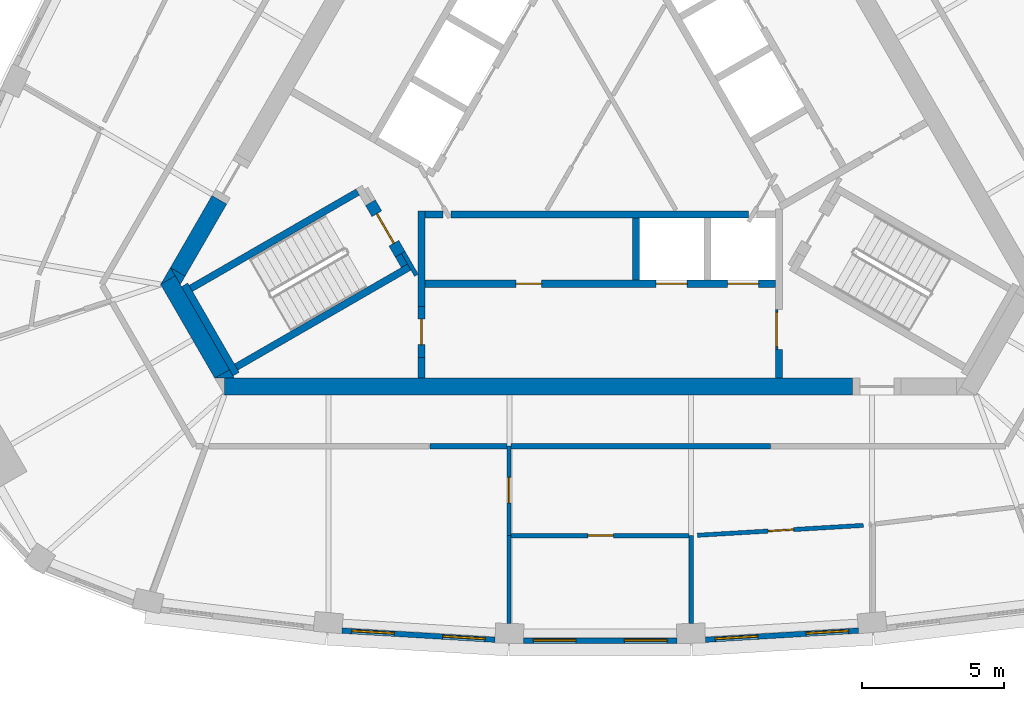
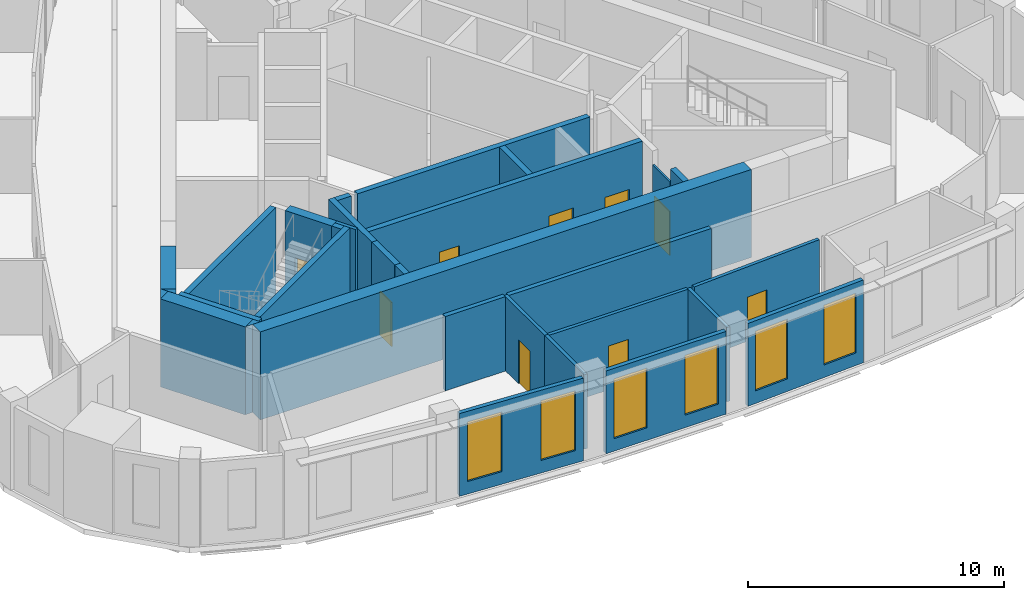
# One storey, part 3 of 10: 31 walls, 9 doors, 6 windows, 15 openings.
"""IFC4 building model written with IfcOpenShell, lengths in metres."""

from ifc_helpers import new_model, si_unit, direction, frame, frame_2d, origin, place, context, subcontext, project, spatial, polyline, rectangle, outline, extrude, material, layer, layer_set, type_object, element, fill, save


model = new_model("IFC4")

# Units and contexts
model_context = context("Model", 3, precision=1e-05, world=origin(), true_north=direction((0.0, 1.0)))
body_context = subcontext(model_context, "Body", "Model", "MODEL_VIEW")
ifc_project = project(units=[si_unit("LENGTHUNIT", "METRE"), si_unit("AREAUNIT", "SQUARE_METRE"), si_unit("VOLUMEUNIT", "CUBIC_METRE"), si_unit("PLANEANGLEUNIT", "RADIAN"), si_unit("MASSUNIT", "GRAM", prefix="KILO")], contexts=[model_context])

# Site, building, storey
site_placement = place(None, origin())
site = spatial("IfcSite", under=ifc_project, at=site_placement, CompositionType="ELEMENT")
building_placement = place(site_placement, origin())
building = spatial("IfcBuilding", under=site, at=building_placement, Name="Mestral Congress Tower", CompositionType="ELEMENT")
storey_placement = place(building_placement, frame((0.0, 0.0, 271.199951171875)))
storey = spatial("IfcBuildingStorey", under=building, at=storey_placement, Name="L63", CompositionType="ELEMENT", Elevation=271.199951171875)

# Wall, opening, door
ifc_material_1 = material(Name="Fire-rated board partition")
ifc_layer_1 = layer(ifc_material_1, 0.090087890625)
ifc_layer_set_1 = layer_set([ifc_layer_1], Name="Fire-rated board partition")
wall_type_1 = type_object("IfcWallType", Name="Core partition 150 door-wall 90", PredefinedType="PARTITIONING", material=ifc_layer_set_1)
wall_1_placement = place(storey_placement, frame((6.219970703125, -7.23681640625, 0.0), z_axis=(0.0, 0.0, 1.0), x_axis=(0.0, -1.0, 0.0)))
wall_1 = element("IfcWall", 1, at=wall_1_placement, inside=storey, type_object=wall_type_1, Name="L63 door wall", PredefinedType="PARTITIONING", context=body_context, shape_type="SweptSolid", body=[
    extrude(rectangle(XDim=1.400146484375, YDim=0.090087890625, at=frame_2d((0.7001953125, 0.0))), origin(), (0.0, 0.0, 1.0), 3.550048828125),
])
opening_1_placement = place(wall_1_placement, frame((0.10009765625, 0.0, 0.0)))
opening_1 = element("IfcOpeningElement", 2, at=opening_1_placement, cuts=wall_1, Name="Opening LB0-WL1", PredefinedType="OPENING", context=body_context, shape_type="SweptSolid", body=[
    extrude(rectangle(XDim=1.199951171875, YDim=2.10009765625, at=frame_2d((0.60009765625, 1.050048828125))), frame((0.0, 0.054931640625, 0.0), z_axis=(0.0, -1.0, 0.0), x_axis=(1.0, 0.0, 0.0)), (0.0, 0.0, 1.0), 0.110107421875),
])
ifc_material_2 = material(Name="Fire-rated steel door set", Category="steel")
door_type_1 = type_object("IfcDoorType", Name="Core door LB 1200x2100", OperationType="SINGLE_SWING_LEFT", PredefinedType="DOOR", material=ifc_material_2)
door_1_placement = place(opening_1_placement, origin())
door_1 = element("IfcDoor", 3, at=door_1_placement, inside=storey, type_object=door_type_1, Name="Door LB0-WL1", OperationType="SINGLE_SWING_LEFT", OverallHeight=2.10009765625, OverallWidth=1.199951171875, PredefinedType="DOOR", context=body_context, shape_type="SweptSolid", body=[
    extrude(rectangle(XDim=1.199951171875, YDim=2.10009765625, at=frame_2d((0.60009765625, 1.050048828125))), frame((0.0, 0.02490234375, 0.0), z_axis=(0.0, -1.0, 0.0), x_axis=(1.0, 0.0, 0.0)), (0.0, 0.0, 1.0), 0.050048828125),
])
fill(opening_1, door_1)

# Walls
ifc_material_3 = material(Name="Concrete C60/75", Category="concrete")
ifc_layer_2 = layer(ifc_material_3, 0.60009765625)
ifc_layer_set_2 = layer_set([ifc_layer_2], Name="Concrete C60/75")
wall_type_2 = type_object("IfcWallType", Name="Core wall RC 600", PredefinedType="SOLIDWALL", material=ifc_layer_set_2)
wall_2_placement = place(storey_placement, frame((8.904296875, -9.949951171875, 0.0), z_axis=(0.0, 0.0, 1.0), x_axis=(-1.0, 0.0, 0.0)))
element("IfcWall", 4, at=wall_2_placement, inside=storey, type_object=wall_type_2, Name="L63 core wall", PredefinedType="SOLIDWALL", context=body_context, shape_type="SweptSolid", body=[
    extrude(rectangle(XDim=22.160888671875, YDim=0.60009765625, at=frame_2d((11.08056640625, 0.0))), origin(), (0.0, 0.0, 1.0), 4.199951171875),
])
wall_3_placement = place(storey_placement, frame((-13.33349609375, -9.505615234375, 0.0), z_axis=(0.0, 0.0, 1.0), x_axis=(-0.500019073792, 0.866014391245, 0.0)))
element("IfcWall", 5, at=wall_3_placement, inside=storey, type_object=wall_type_2, Name="L63 core wall", PredefinedType="SOLIDWALL", context=body_context, shape_type="SweptSolid", body=[
    extrude(rectangle(XDim=3.823486328125, YDim=0.60009765625, at=frame_2d((1.91162109375, 0.0))), origin(), (0.0, 0.0, 1.0), 4.199951171875),
])
placement = place(storey_placement, origin())
element("IfcWall", 6, at=placement, inside=storey, type_object=wall_type_2, Name="L63 core wall", PredefinedType="SOLIDWALL", context=body_context, shape_type="SweptSolid", body=[
    extrude(outline(polyline([(-14.986572265625, -6.042724609375), (-15.493408203125, -6.33544921875), (-15.155517578125, -5.75), (-14.986572265625, -6.042724609375)])), origin(), (0.0, 0.0, 1.0), 4.199951171875),
])
element("IfcWall", 7, at=placement, inside=storey, type_object=wall_type_2, Name="L63 core wall", PredefinedType="SOLIDWALL", context=body_context, shape_type="SweptSolid", body=[
    extrude(outline(polyline([(-12.90380859375, -9.64990234375), (-13.579833984375, -9.64990234375), (-13.07275390625, -9.357421875), (-12.90380859375, -9.64990234375)])), origin(), (0.0, 0.0, 1.0), 4.199951171875),
])
wall_6_placement = place(storey_placement, frame((-13.431640625, -3.3642578125, 0.0), z_axis=(0.0, 0.0, 1.0), x_axis=(-0.499960127962, -0.866048422692, 0.0)))
element("IfcWall", 8, at=wall_6_placement, inside=storey, type_object=wall_type_2, Name="L63 core wall", PredefinedType="SOLIDWALL", context=body_context, shape_type="SweptSolid", body=[
    extrude(rectangle(XDim=2.934326171875, YDim=0.60009765625, at=frame_2d((1.46728515625, 0.0))), origin(), (0.0, 0.0, 1.0), 4.199951171875),
])
element("IfcWall", 9, at=placement, inside=storey, type_object=wall_type_2, Name="L63 core wall", PredefinedType="SOLIDWALL", context=body_context, shape_type="SweptSolid", body=[
    extrude(outline(polyline([(-14.80908203125, -6.35009765625), (-15.147216796875, -5.764404296875), (-14.639892578125, -6.057373046875), (-14.80908203125, -6.35009765625)])), origin(), (0.0, 0.0, 1.0), 4.199951171875),
])

# Wall, openings, windows
ifc_material_4 = material(Name="Precast concrete C40/50 with limestone facing", Category="masonry")
ifc_layer_3 = layer(ifc_material_4, 0.18994140625)
ifc_layer_set_3 = layer_set([ifc_layer_3], Name="Precast concrete C40/50 with limestone facing")
wall_type_3 = type_object("IfcWallType", Name="Facade stone wall 190", PredefinedType="SOLIDWALL", material=ifc_layer_set_3)
wall_8_placement = place(storey_placement, frame((-9.106689453125, -18.557861328125, 0.0), z_axis=(0.0, 0.0, 1.0), x_axis=(0.998221492823, -0.059614186786, 0.0)))
wall_8 = element("IfcWall", 10, at=wall_8_placement, inside=storey, type_object=wall_type_3, Name="Facade wall F0-01", PredefinedType="SOLIDWALL", context=body_context, shape_type="SweptSolid", body=[
    extrude(rectangle(XDim=5.40576171875, YDim=0.18994140625, at=frame_2d((2.702880859375, 0.0))), origin(), (0.0, 0.0, 1.0), 3.949951171875),
])
opening_2_placement = place(wall_8_placement, frame((0.346435546875, 0.0, 0.60009765625)))
opening_2 = element("IfcOpeningElement", 11, at=opening_2_placement, cuts=wall_8, Name="Opening W6", PredefinedType="OPENING", context=body_context, shape_type="SweptSolid", body=[
    extrude(rectangle(XDim=1.5, YDim=2.85009765625, at=frame_2d((0.75, 1.425048828125))), frame((0.0, 0.10498046875, 0.0), z_axis=(0.0, -1.0, 0.0), x_axis=(1.0, 0.0, 0.0)), (0.0, 0.0, 1.0), 0.2099609375),
])
opening_3_placement = place(wall_8_placement, frame((3.559326171875, 0.0, 0.60009765625)))
opening_3 = element("IfcOpeningElement", 12, at=opening_3_placement, cuts=wall_8, Name="Opening W6", PredefinedType="OPENING", context=body_context, shape_type="SweptSolid", body=[
    extrude(rectangle(XDim=1.5, YDim=2.85009765625, at=frame_2d((0.75, 1.425048828125))), frame((0.0, 0.10498046875, 0.0), z_axis=(0.0, -1.0, 0.0), x_axis=(1.0, 0.0, 0.0)), (0.0, 0.0, 1.0), 0.2099609375),
])
ifc_material_5 = material(Name="Clear low-emissivity double glazing", Category="glass")
window_type = type_object("IfcWindowType", Name="Facade punched window 1500 x 2850 sill 600", PartitioningType="SINGLE_PANEL", PredefinedType="WINDOW", material=ifc_material_5)
window_1_placement = place(opening_2_placement, origin())
window_1 = element("IfcWindow", 13, at=window_1_placement, inside=storey, type_object=window_type, Name="Window F0-01a", OverallHeight=2.85009765625, OverallWidth=1.5, PartitioningType="SINGLE_PANEL", PredefinedType="WINDOW", context=body_context, shape_type="SweptSolid", body=[
    extrude(rectangle(XDim=1.5, YDim=2.85009765625, at=frame_2d((0.75, 1.425048828125))), frame((0.0, 0.044921875, 0.0), z_axis=(0.0, -1.0, 0.0), x_axis=(1.0, 0.0, 0.0)), (0.0, 0.0, 1.0), 0.06005859375),
])
fill(opening_2, window_1)
window_2_placement = place(opening_3_placement, origin())
window_2 = element("IfcWindow", 14, at=window_2_placement, inside=storey, type_object=window_type, Name="Window F0-01b", OverallHeight=2.85009765625, OverallWidth=1.5, PartitioningType="SINGLE_PANEL", PredefinedType="WINDOW", context=body_context, shape_type="SweptSolid", body=[
    extrude(rectangle(XDim=1.5, YDim=2.85009765625, at=frame_2d((0.75, 1.425048828125))), frame((0.0, 0.044921875, 0.0), z_axis=(0.0, -1.0, 0.0), x_axis=(1.0, 0.0, 0.0)), (0.0, 0.0, 1.0), 0.06005859375),
])
fill(opening_3, window_2)

wall_9_placement = place(storey_placement, frame((-2.702880859375, -18.91015625, 0.0), z_axis=(0.0, 0.0, 1.0), x_axis=(1.0, 0.0, 0.0)))
wall_9 = element("IfcWall", 15, at=wall_9_placement, inside=storey, type_object=wall_type_3, Name="Facade wall F0-02", PredefinedType="SOLIDWALL", context=body_context, shape_type="SweptSolid", body=[
    extrude(rectangle(XDim=5.40576171875, YDim=0.18994140625, at=frame_2d((2.702880859375, 0.0))), origin(), (0.0, 0.0, 1.0), 3.949951171875),
])
opening_4_placement = place(wall_9_placement, frame((0.346435546875, 0.0, 0.60009765625)))
opening_4 = element("IfcOpeningElement", 16, at=opening_4_placement, cuts=wall_9, Name="Opening W6", PredefinedType="OPENING", context=body_context, shape_type="SweptSolid", body=[
    extrude(rectangle(XDim=1.5, YDim=2.85009765625, at=frame_2d((0.75, 1.425048828125))), frame((0.0, 0.10498046875, 0.0), z_axis=(0.0, -1.0, 0.0), x_axis=(1.0, 0.0, 0.0)), (0.0, 0.0, 1.0), 0.2099609375),
])
opening_5_placement = place(wall_9_placement, frame((3.5595703125, 0.0, 0.60009765625)))
opening_5 = element("IfcOpeningElement", 17, at=opening_5_placement, cuts=wall_9, Name="Opening W6", PredefinedType="OPENING", context=body_context, shape_type="SweptSolid", body=[
    extrude(rectangle(XDim=1.5, YDim=2.85009765625, at=frame_2d((0.75, 1.425048828125))), frame((0.0, 0.10498046875, 0.0), z_axis=(0.0, -1.0, 0.0), x_axis=(1.0, 0.0, 0.0)), (0.0, 0.0, 1.0), 0.2099609375),
])
window_3_placement = place(opening_4_placement, origin())
window_3 = element("IfcWindow", 18, at=window_3_placement, inside=storey, type_object=window_type, Name="Window F0-02a", OverallHeight=2.85009765625, OverallWidth=1.5, PartitioningType="SINGLE_PANEL", PredefinedType="WINDOW", context=body_context, shape_type="SweptSolid", body=[
    extrude(rectangle(XDim=1.5, YDim=2.85009765625, at=frame_2d((0.75, 1.425048828125))), frame((0.0, 0.044921875, 0.0), z_axis=(0.0, -1.0, 0.0), x_axis=(1.0, 0.0, 0.0)), (0.0, 0.0, 1.0), 0.06005859375),
])
fill(opening_4, window_3)
window_4_placement = place(opening_5_placement, origin())
window_4 = element("IfcWindow", 19, at=window_4_placement, inside=storey, type_object=window_type, Name="Window F0-02b", OverallHeight=2.85009765625, OverallWidth=1.5, PartitioningType="SINGLE_PANEL", PredefinedType="WINDOW", context=body_context, shape_type="SweptSolid", body=[
    extrude(rectangle(XDim=1.5, YDim=2.85009765625, at=frame_2d((0.75, 1.425048828125))), frame((0.0, 0.044921875, 0.0), z_axis=(0.0, -1.0, 0.0), x_axis=(1.0, 0.0, 0.0)), (0.0, 0.0, 1.0), 0.06005859375),
])
fill(opening_5, window_4)

wall_10_placement = place(storey_placement, frame((3.71044921875, -18.880126953125, 0.0), z_axis=(0.0, 0.0, 1.0), x_axis=(0.998221492823, 0.059614186786, 0.0)))
wall_10 = element("IfcWall", 20, at=wall_10_placement, inside=storey, type_object=wall_type_3, Name="Facade wall F0-03", PredefinedType="SOLIDWALL", context=body_context, shape_type="SweptSolid", body=[
    extrude(rectangle(XDim=5.40576171875, YDim=0.18994140625, at=frame_2d((2.702880859375, 0.0))), origin(), (0.0, 0.0, 1.0), 3.949951171875),
])
opening_6_placement = place(wall_10_placement, frame((0.346435546875, 0.0, 0.60009765625)))
opening_6 = element("IfcOpeningElement", 21, at=opening_6_placement, cuts=wall_10, Name="Opening W6", PredefinedType="OPENING", context=body_context, shape_type="SweptSolid", body=[
    extrude(rectangle(XDim=1.5, YDim=2.85009765625, at=frame_2d((0.75, 1.425048828125))), frame((0.0, 0.10498046875, 0.0), z_axis=(0.0, -1.0, 0.0), x_axis=(1.0, 0.0, 0.0)), (0.0, 0.0, 1.0), 0.2099609375),
])
opening_7_placement = place(wall_10_placement, frame((3.559326171875, 0.0, 0.60009765625)))
opening_7 = element("IfcOpeningElement", 22, at=opening_7_placement, cuts=wall_10, Name="Opening W6", PredefinedType="OPENING", context=body_context, shape_type="SweptSolid", body=[
    extrude(rectangle(XDim=1.5, YDim=2.85009765625, at=frame_2d((0.75, 1.425048828125))), frame((0.0, 0.10498046875, 0.0), z_axis=(0.0, -1.0, 0.0), x_axis=(1.0, 0.0, 0.0)), (0.0, 0.0, 1.0), 0.2099609375),
])
window_5_placement = place(opening_6_placement, origin())
window_5 = element("IfcWindow", 23, at=window_5_placement, inside=storey, type_object=window_type, Name="Window F0-03a", OverallHeight=2.85009765625, OverallWidth=1.5, PartitioningType="SINGLE_PANEL", PredefinedType="WINDOW", context=body_context, shape_type="SweptSolid", body=[
    extrude(rectangle(XDim=1.5, YDim=2.85009765625, at=frame_2d((0.75, 1.425048828125))), frame((0.0, 0.044921875, 0.0), z_axis=(0.0, -1.0, 0.0), x_axis=(1.0, 0.0, 0.0)), (0.0, 0.0, 1.0), 0.06005859375),
])
fill(opening_6, window_5)
window_6_placement = place(opening_7_placement, origin())
window_6 = element("IfcWindow", 24, at=window_6_placement, inside=storey, type_object=window_type, Name="Window F0-03b", OverallHeight=2.85009765625, OverallWidth=1.5, PartitioningType="SINGLE_PANEL", PredefinedType="WINDOW", context=body_context, shape_type="SweptSolid", body=[
    extrude(rectangle(XDim=1.5, YDim=2.85009765625, at=frame_2d((0.75, 1.425048828125))), frame((0.0, 0.044921875, 0.0), z_axis=(0.0, -1.0, 0.0), x_axis=(1.0, 0.0, 0.0)), (0.0, 0.0, 1.0), 0.06005859375),
])
fill(opening_7, window_6)

# Wall
ifc_material_6 = material(Name="Plasterboard partition on steel studs", Category="steel")
ifc_layer_4 = layer(ifc_material_6, 0.14990234375)
ifc_layer_set_4 = layer_set([ifc_layer_4], Name="Plasterboard partition on steel studs")
wall_type_4 = type_object("IfcWallType", Name="Office partition 150", PredefinedType="PARTITIONING", material=ifc_layer_set_4)
wall_11_placement = place(storey_placement, frame((-3.212890625, -15.204345703125, 0.0), z_axis=(0.0, 0.0, 1.0), x_axis=(0.0, -1.0, 0.0)))
element("IfcWall", 25, at=wall_11_placement, inside=storey, type_object=wall_type_4, Name="Partition", PredefinedType="PARTITIONING", context=body_context, shape_type="SweptSolid", body=[
    extrude(rectangle(XDim=3.100341796875, YDim=0.14990234375, at=frame_2d((1.55029296875, 0.0))), origin(), (0.0, 0.0, 1.0), 3.550048828125),
])

# Wall, opening, door
wall_12_placement = place(storey_placement, frame((-3.212890625, -15.21240234375, 0.0), z_axis=(0.0, 0.0, 1.0), x_axis=(0.0, 1.0, 0.0)))
wall_12 = element("IfcWall", 26, at=wall_12_placement, inside=storey, type_object=wall_type_4, Name="Partition", PredefinedType="PARTITIONING", context=body_context, shape_type="SweptSolid", body=[
    extrude(rectangle(XDim=3.162353515625, YDim=0.14990234375, at=frame_2d((1.5810546875, 0.0))), origin(), (0.0, 0.0, 1.0), 3.550048828125),
])
opening_8_placement = place(wall_12_placement, frame((1.162353515625, 0.0, 0.0)))
opening_8 = element("IfcOpeningElement", 27, at=opening_8_placement, cuts=wall_12, Name="Opening O11-001", PredefinedType="OPENING", context=body_context, shape_type="SweptSolid", body=[
    extrude(rectangle(XDim=0.89990234375, YDim=2.10009765625, at=frame_2d((0.449951171875, 1.050048828125))), frame((0.0, 0.0849609375, 0.0), z_axis=(0.0, -1.0, 0.0), x_axis=(1.0, 0.0, 0.0)), (0.0, 0.0, 1.0), 0.169921875),
])
ifc_material_7 = material(Name="Timber door set", Category="wood")
door_type_2 = type_object("IfcDoorType", Name="Office door 900x2100", OperationType="SINGLE_SWING_LEFT", PredefinedType="DOOR", material=ifc_material_7)
door_2_placement = place(opening_8_placement, origin())
door_2 = element("IfcDoor", 28, at=door_2_placement, inside=storey, type_object=door_type_2, Name="Door O11-001", OperationType="SINGLE_SWING_RIGHT", OverallHeight=2.10009765625, OverallWidth=0.89990234375, PredefinedType="DOOR", context=body_context, shape_type="SweptSolid", body=[
    extrude(rectangle(XDim=0.89990234375, YDim=2.10009765625, at=frame_2d((0.449951171875, 1.050048828125))), frame((0.0, 0.02490234375, 0.0), z_axis=(0.0, -1.0, 0.0), x_axis=(1.0, 0.0, 0.0)), (0.0, 0.0, 1.0), 0.050048828125),
])
fill(opening_8, door_2)

# Wall
wall_13_placement = place(storey_placement, frame((3.212890625, -15.208251953125, 0.0), z_axis=(0.0, 0.0, 1.0), x_axis=(0.0, -1.0, 0.0)))
element("IfcWall", 29, at=wall_13_placement, inside=storey, type_object=wall_type_4, Name="Partition", PredefinedType="PARTITIONING", context=body_context, shape_type="SweptSolid", body=[
    extrude(rectangle(XDim=3.096435546875, YDim=0.14990234375, at=frame_2d((1.54833984375, 0.0))), origin(), (0.0, 0.0, 1.0), 3.550048828125),
])

# Wall, opening, door
wall_14_placement = place(storey_placement, frame((3.137939453125, -15.208251953125, 0.0), z_axis=(0.0, 0.0, 1.0), x_axis=(-1.0, 0.0, 0.0)))
wall_14 = element("IfcWall", 30, at=wall_14_placement, inside=storey, type_object=wall_type_4, Name="Partition", PredefinedType="PARTITIONING", context=body_context, shape_type="SweptSolid", body=[
    extrude(rectangle(XDim=6.27587890625, YDim=0.14990234375, at=frame_2d((3.137939453125, 0.0))), origin(), (0.0, 0.0, 1.0), 3.550048828125),
])
opening_9_placement = place(wall_14_placement, frame((2.676025390625, 0.0, 0.0)))
opening_9 = element("IfcOpeningElement", 31, at=opening_9_placement, cuts=wall_14, Name="Opening O11-002", PredefinedType="OPENING", context=body_context, shape_type="SweptSolid", body=[
    extrude(rectangle(XDim=0.89990234375, YDim=2.10009765625, at=frame_2d((0.449951171875, 1.050048828125))), frame((0.0, 0.0849609375, 0.0), z_axis=(0.0, -1.0, 0.0), x_axis=(1.0, 0.0, 0.0)), (0.0, 0.0, 1.0), 0.169921875),
])
door_3_placement = place(opening_9_placement, origin())
door_3 = element("IfcDoor", 32, at=door_3_placement, inside=storey, type_object=door_type_2, Name="Door O11-002", OperationType="SINGLE_SWING_LEFT", OverallHeight=2.10009765625, OverallWidth=0.89990234375, PredefinedType="DOOR", context=body_context, shape_type="SweptSolid", body=[
    extrude(rectangle(XDim=0.89990234375, YDim=2.10009765625, at=frame_2d((0.449951171875, 1.050048828125))), frame((0.0, 0.02490234375, 0.0), z_axis=(0.0, -1.0, 0.0), x_axis=(1.0, 0.0, 0.0)), (0.0, 0.0, 1.0), 0.050048828125),
])
fill(opening_9, door_3)

wall_15_placement = place(storey_placement, frame((9.279541015625, -14.845947265625, 0.0), z_axis=(0.0, 0.0, 1.0), x_axis=(-0.998220544688, -0.059630060904, 0.0)))
wall_15 = element("IfcWall", 33, at=wall_15_placement, inside=storey, type_object=wall_type_4, Name="Partition", PredefinedType="PARTITIONING", context=body_context, shape_type="SweptSolid", body=[
    extrude(rectangle(XDim=5.863037109375, YDim=0.14990234375, at=frame_2d((2.931640625, 0.0))), origin(), (0.0, 0.0, 1.0), 3.550048828125),
])
opening_10_placement = place(wall_15_placement, frame((2.463134765625, 0.0, 0.0)))
opening_10 = element("IfcOpeningElement", 34, at=opening_10_placement, cuts=wall_15, Name="Opening O11-003", PredefinedType="OPENING", context=body_context, shape_type="SweptSolid", body=[
    extrude(rectangle(XDim=0.89990234375, YDim=2.10009765625, at=frame_2d((0.449951171875, 1.050048828125))), frame((0.0, 0.0849609375, 0.0), z_axis=(0.0, -1.0, 0.0), x_axis=(1.0, 0.0, 0.0)), (0.0, 0.0, 1.0), 0.169921875),
])
door_4_placement = place(opening_10_placement, origin())
door_4 = element("IfcDoor", 35, at=door_4_placement, inside=storey, type_object=door_type_2, Name="Door O11-003", OperationType="SINGLE_SWING_LEFT", OverallHeight=2.10009765625, OverallWidth=0.89990234375, PredefinedType="DOOR", context=body_context, shape_type="SweptSolid", body=[
    extrude(rectangle(XDim=0.89990234375, YDim=2.10009765625, at=frame_2d((0.449951171875, 1.050048828125))), frame((0.0, 0.02490234375, 0.0), z_axis=(0.0, -1.0, 0.0), x_axis=(1.0, 0.0, 0.0)), (0.0, 0.0, 1.0), 0.050048828125),
])
fill(opening_10, door_4)

# Walls
ifc_material_8 = material(Name="Dense masonry wall, plastered", Category="masonry")
ifc_layer_5 = layer(ifc_material_8, 0.199951171875)
ifc_layer_set_5 = layer_set([ifc_layer_5], Name="Dense masonry wall, plastered")
wall_type_5 = type_object("IfcWallType", Name="Office tenancy wall 200", PredefinedType="PARTITIONING", material=ifc_layer_set_5)
wall_16_placement = place(storey_placement, frame((-6.0, -12.050048828125, 0.0), z_axis=(0.0, 0.0, 1.0), x_axis=(1.0, 0.0, 0.0)))
element("IfcWall", 36, at=wall_16_placement, inside=storey, type_object=wall_type_5, Name="Tenancy wall", PredefinedType="PARTITIONING", context=body_context, shape_type="SweptSolid", body=[
    extrude(rectangle(XDim=2.7119140625, YDim=0.199951171875, at=frame_2d((1.35595703125, 0.0))), origin(), (0.0, 0.0, 1.0), 3.550048828125),
])
wall_17_placement = place(storey_placement, frame((-3.137939453125, -12.050048828125, 0.0), z_axis=(0.0, 0.0, 1.0), x_axis=(1.0, 0.0, 0.0)))
element("IfcWall", 37, at=wall_17_placement, inside=storey, type_object=wall_type_5, Name="Tenancy wall", PredefinedType="PARTITIONING", context=body_context, shape_type="SweptSolid", body=[
    extrude(rectangle(XDim=9.137939453125, YDim=0.199951171875, at=frame_2d((4.56884765625, 0.0))), origin(), (0.0, 0.0, 1.0), 3.550048828125),
])
ifc_layer_6 = layer(ifc_material_3, 0.25)
ifc_layer_set_6 = layer_set([ifc_layer_6], Name="Concrete C60/75")
wall_type_6 = type_object("IfcWallType", Name="Shaft wall RC 250", PredefinedType="SOLIDWALL", material=ifc_layer_set_6)
wall_18_placement = place(storey_placement, frame((6.300048828125, -9.64990234375, 0.0), z_axis=(0.0, 0.0, 1.0), x_axis=(0.0, 1.0, 0.0)))
element("IfcWall", 38, at=wall_18_placement, inside=storey, type_object=wall_type_6, Name="L63 core wall", PredefinedType="SOLIDWALL", context=body_context, shape_type="SweptSolid", body=[
    extrude(rectangle(XDim=1.0078125, YDim=0.25, at=frame_2d((0.50390625, 0.0))), origin(), (0.0, 0.0, 1.0), 4.199951171875),
])
wall_19_placement = place(storey_placement, frame((-5.25927734375, -3.875, 0.0), z_axis=(0.0, 0.0, 1.0), x_axis=(1.0, 0.0, 0.0)))
element("IfcWall", 39, at=wall_19_placement, inside=storey, type_object=wall_type_6, Name="L63 core wall", PredefinedType="SOLIDWALL", context=body_context, shape_type="SweptSolid", body=[
    extrude(rectangle(XDim=10.488525390625, YDim=0.25, at=frame_2d((5.244140625, 0.0))), origin(), (0.0, 0.0, 1.0), 4.199951171875),
])
wall_20_placement = place(storey_placement, frame((1.260009765625, -4.0, 0.0), z_axis=(0.0, 0.0, 1.0), x_axis=(0.0, -1.0, 0.0)))
element("IfcWall", 40, at=wall_20_placement, inside=storey, type_object=wall_type_6, Name="L63 core wall", PredefinedType="SOLIDWALL", context=body_context, shape_type="SweptSolid", body=[
    extrude(rectangle(XDim=2.199951171875, YDim=0.25, at=frame_2d((1.10009765625, 0.0))), origin(), (0.0, 0.0, 1.0), 4.199951171875),
])
wall_21_placement = place(storey_placement, frame((-6.300048828125, -7.12451171875, 0.0), z_axis=(0.0, 0.0, 1.0), x_axis=(0.0, 1.0, 0.0)))
element("IfcWall", 41, at=wall_21_placement, inside=storey, type_object=wall_type_6, Name="L63 core wall", PredefinedType="SOLIDWALL", context=body_context, shape_type="SweptSolid", body=[
    extrude(rectangle(XDim=3.37451171875, YDim=0.25, at=frame_2d((1.687255859375, 0.0))), origin(), (0.0, 0.0, 1.0), 4.199951171875),
])
wall_22_placement = place(storey_placement, frame((-6.175048828125, -3.875, 0.0), z_axis=(0.0, 0.0, 1.0), x_axis=(1.0, 0.0, 0.0)))
element("IfcWall", 42, at=wall_22_placement, inside=storey, type_object=wall_type_6, Name="L63 core wall", PredefinedType="SOLIDWALL", context=body_context, shape_type="SweptSolid", body=[
    extrude(rectangle(XDim=0.63671875, YDim=0.25, at=frame_2d((0.318359375, 0.0))), origin(), (0.0, 0.0, 1.0), 4.199951171875),
])
wall_23_placement = place(storey_placement, frame((-6.300048828125, -8.9248046875, 0.0), z_axis=(0.0, 0.0, 1.0), x_axis=(0.0, -1.0, 0.0)))
element("IfcWall", 43, at=wall_23_placement, inside=storey, type_object=wall_type_6, Name="L63 core wall", PredefinedType="SOLIDWALL", context=body_context, shape_type="SweptSolid", body=[
    extrude(rectangle(XDim=0.72509765625, YDim=0.25, at=frame_2d((0.362548828125, 0.0))), origin(), (0.0, 0.0, 1.0), 4.199951171875),
])

# Wall, openings, doors
wall_24_placement = place(storey_placement, frame((-6.175048828125, -6.324951171875, 0.0), z_axis=(0.0, 0.0, 1.0), x_axis=(1.0, 0.0, 0.0)))
wall_24 = element("IfcWall", 44, at=wall_24_placement, inside=storey, type_object=wall_type_6, Name="L63 door wall", PredefinedType="SOLIDWALL", context=body_context, shape_type="SweptSolid", body=[
    extrude(rectangle(XDim=12.35009765625, YDim=0.25, at=frame_2d((6.175048828125, 0.0))), origin(), (0.0, 0.0, 1.0), 4.199951171875),
])
opening_11_placement = place(wall_24_placement, frame((3.205078125, 0.0, 0.0)))
opening_11 = element("IfcOpeningElement", 45, at=opening_11_placement, cuts=wall_24, Name="Opening SR-SOB1", PredefinedType="OPENING", context=body_context, shape_type="SweptSolid", body=[
    extrude(rectangle(XDim=0.89990234375, YDim=2.10009765625, at=frame_2d((0.449951171875, 1.050048828125))), frame((0.0, 0.135009765625, 0.0), z_axis=(0.0, -1.0, 0.0), x_axis=(1.0, 0.0, 0.0)), (0.0, 0.0, 1.0), 0.27001953125),
])
opening_12_placement = place(wall_24_placement, frame((8.14501953125, 0.0, 0.0)))
opening_12 = element("IfcOpeningElement", 46, at=opening_12_placement, cuts=wall_24, Name="Opening LD-SOB4", PredefinedType="OPENING", context=body_context, shape_type="SweptSolid", body=[
    extrude(rectangle(XDim=1.10009765625, YDim=2.10009765625, at=frame_2d((0.550048828125, 1.050048828125))), frame((0.0, 0.135009765625, 0.0), z_axis=(0.0, -1.0, 0.0), x_axis=(1.0, 0.0, 0.0)), (0.0, 0.0, 1.0), 0.27001953125),
])
opening_13_placement = place(wall_24_placement, frame((10.6650390625, 0.0, 0.0)))
opening_13 = element("IfcOpeningElement", 47, at=opening_13_placement, cuts=wall_24, Name="Opening LD-SOB5", PredefinedType="OPENING", context=body_context, shape_type="SweptSolid", body=[
    extrude(rectangle(XDim=1.10009765625, YDim=2.10009765625, at=frame_2d((0.550048828125, 1.050048828125))), frame((0.0, 0.135009765625, 0.0), z_axis=(0.0, -1.0, 0.0), x_axis=(1.0, 0.0, 0.0)), (0.0, 0.0, 1.0), 0.27001953125),
])
door_type_3 = type_object("IfcDoorType", Name="Core door LD 1100x2100", OperationType="DOUBLE_DOOR_SLIDING", PredefinedType="DOOR", material=ifc_material_2)
door_5_placement = place(opening_12_placement, origin())
door_5 = element("IfcDoor", 48, at=door_5_placement, inside=storey, type_object=door_type_3, Name="Door LD-SOB4", OperationType="DOUBLE_DOOR_SLIDING", OverallHeight=2.10009765625, OverallWidth=1.10009765625, PredefinedType="DOOR", context=body_context, shape_type="SweptSolid", body=[
    extrude(rectangle(XDim=1.10009765625, YDim=2.10009765625, at=frame_2d((0.550048828125, 1.050048828125))), frame((0.0, 0.02490234375, 0.0), z_axis=(0.0, -1.0, 0.0), x_axis=(1.0, 0.0, 0.0)), (0.0, 0.0, 1.0), 0.050048828125),
])
fill(opening_12, door_5)
door_6_placement = place(opening_13_placement, origin())
door_6 = element("IfcDoor", 49, at=door_6_placement, inside=storey, type_object=door_type_3, Name="Door LD-SOB5", OperationType="DOUBLE_DOOR_SLIDING", OverallHeight=2.10009765625, OverallWidth=1.10009765625, PredefinedType="DOOR", context=body_context, shape_type="SweptSolid", body=[
    extrude(rectangle(XDim=1.10009765625, YDim=2.10009765625, at=frame_2d((0.550048828125, 1.050048828125))), frame((0.0, 0.02490234375, 0.0), z_axis=(0.0, -1.0, 0.0), x_axis=(1.0, 0.0, 0.0)), (0.0, 0.0, 1.0), 0.050048828125),
])
fill(opening_13, door_6)
door_type_4 = type_object("IfcDoorType", Name="Core door SR 900x2100", OperationType="SINGLE_SWING_LEFT", PredefinedType="DOOR", material=ifc_material_2)
door_7_placement = place(opening_11_placement, origin())
door_7 = element("IfcDoor", 50, at=door_7_placement, inside=storey, type_object=door_type_4, Name="Door SR-SOB1", OperationType="SINGLE_SWING_LEFT", OverallHeight=2.10009765625, OverallWidth=0.89990234375, PredefinedType="DOOR", context=body_context, shape_type="SweptSolid", body=[
    extrude(rectangle(XDim=0.89990234375, YDim=2.10009765625, at=frame_2d((0.449951171875, 1.050048828125))), frame((0.0, 0.02490234375, 0.0), z_axis=(0.0, -1.0, 0.0), x_axis=(1.0, 0.0, 0.0)), (0.0, 0.0, 1.0), 0.050048828125),
])
fill(opening_11, door_7)

# Wall, opening, door
wall_25_placement = place(storey_placement, frame((-6.300048828125, -7.12451171875, 0.0), z_axis=(0.0, 0.0, 1.0), x_axis=(0.0, -1.0, 0.0)))
wall_25 = element("IfcWall", 51, at=wall_25_placement, inside=storey, type_object=wall_type_6, Name="L63 door wall", PredefinedType="SOLIDWALL", context=body_context, shape_type="SweptSolid", body=[
    extrude(rectangle(XDim=1.800048828125, YDim=0.25, at=frame_2d((0.89990234375, 0.0))), origin(), (0.0, 0.0, 1.0), 4.199951171875),
])
opening_14_placement = place(wall_25_placement, frame((0.449951171875, 0.0, 0.0)))
opening_14 = element("IfcOpeningElement", 52, at=opening_14_placement, cuts=wall_25, Name="Opening TD3", PredefinedType="OPENING", context=body_context, shape_type="SweptSolid", body=[
    extrude(rectangle(XDim=0.89990234375, YDim=2.10009765625, at=frame_2d((0.449951171875, 1.050048828125))), frame((0.0, 0.135009765625, 0.0), z_axis=(0.0, -1.0, 0.0), x_axis=(1.0, 0.0, 0.0)), (0.0, 0.0, 1.0), 0.27001953125),
])
door_8_placement = place(opening_14_placement, origin())
door_8 = element("IfcDoor", 53, at=door_8_placement, inside=storey, type_object=door_type_4, Name="Door TD3", OperationType="SINGLE_SWING_LEFT", OverallHeight=2.10009765625, OverallWidth=0.89990234375, PredefinedType="DOOR", context=body_context, shape_type="SweptSolid", body=[
    extrude(rectangle(XDim=0.89990234375, YDim=2.10009765625, at=frame_2d((0.449951171875, 1.050048828125))), frame((0.0, 0.02490234375, 0.0), z_axis=(0.0, -1.0, 0.0), x_axis=(1.0, 0.0, 0.0)), (0.0, 0.0, 1.0), 0.050048828125),
])
fill(opening_14, door_8)

# Walls
ifc_layer_7 = layer(ifc_material_3, 0.14990234375)
ifc_layer_set_7 = layer_set([ifc_layer_7], Name="Concrete C60/75")
wall_type_7 = type_object("IfcWallType", Name="Shaft wall RC 250 door-wall 150", PredefinedType="SOLIDWALL", material=ifc_layer_set_7)
wall_26_placement = place(storey_placement, frame((-6.48046875, -6.026611328125, 0.0), z_axis=(0.0, 0.0, 1.0), x_axis=(-0.499927229454, 0.866067413802, 0.0)))
element("IfcWall", 54, at=wall_26_placement, inside=storey, type_object=wall_type_7, Name="L63 core wall", PredefinedType="PARTITIONING", context=body_context, shape_type="SweptSolid", body=[
    extrude(rectangle(XDim=0.928955078125, YDim=0.14990234375, at=frame_2d((0.46435546875, 0.0))), origin(), (0.0, 0.0, 1.0), 4.199951171875),
])
ifc_layer_8 = layer(ifc_material_3, 0.25)
ifc_layer_set_8 = layer_set([ifc_layer_8], Name="Concrete C60/75")
wall_type_8 = type_object("IfcWallType", Name="Stair wall RC 250", PredefinedType="SOLIDWALL", material=ifc_layer_set_8)
wall_27_placement = place(storey_placement, frame((-12.839599609375, -9.510986328125, 0.0), z_axis=(0.0, 0.0, 1.0), x_axis=(-0.499997733992, 0.866026712061, 0.0)))
element("IfcWall", 55, at=wall_27_placement, inside=storey, type_object=wall_type_8, Name="L63 core wall", PredefinedType="SOLIDWALL", context=body_context, shape_type="SweptSolid", body=[
    extrude(rectangle(XDim=3.6337890625, YDim=0.25, at=frame_2d((1.81689453125, 0.0))), origin(), (0.0, 0.0, 1.0), 4.199951171875),
])
wall_28_placement = place(storey_placement, frame((-14.43994140625, -6.489501953125, 0.0), z_axis=(0.0, 0.0, 1.0), x_axis=(0.866022966069, 0.500004222222, 0.0)))
element("IfcWall", 56, at=wall_28_placement, inside=storey, type_object=wall_type_8, Name="L63 core wall", PredefinedType="SOLIDWALL", context=body_context, shape_type="SweptSolid", body=[
    extrude(rectangle(XDim=6.80029296875, YDim=0.25, at=frame_2d((3.400146484375, 0.0))), origin(), (0.0, 0.0, 1.0), 4.199951171875),
])
wall_29_placement = place(storey_placement, frame((-12.83984375, -9.2607421875, 0.0), z_axis=(0.0, 0.0, 1.0), x_axis=(0.866016039709, 0.500016218704, 0.0)))
element("IfcWall", 57, at=wall_29_placement, inside=storey, type_object=wall_type_8, Name="L63 core wall", PredefinedType="SOLIDWALL", context=body_context, shape_type="SweptSolid", body=[
    extrude(rectangle(XDim=7.050048828125, YDim=0.25, at=frame_2d((3.52490234375, 0.0))), origin(), (0.0, 0.0, 1.0), 4.199951171875),
])
wall_30_placement = place(storey_placement, frame((-6.905029296875, -5.68994140625, 0.0), z_axis=(0.0, 0.0, 1.0), x_axis=(-0.500402024738, 0.865793170242, 0.0)))
element("IfcWall", 58, at=wall_30_placement, inside=storey, type_object=wall_type_8, Name="L63 core wall", PredefinedType="SOLIDWALL", context=body_context, shape_type="SweptSolid", body=[
    extrude(rectangle(XDim=0.425048828125, YDim=0.25, at=frame_2d((0.21240234375, 0.0))), origin(), (0.0, 0.0, 1.0), 4.199951171875),
])

# Wall, opening, door
ifc_layer_9 = layer(ifc_material_3, 0.39990234375)
ifc_layer_set_9 = layer_set([ifc_layer_9], Name="Concrete C60/75")
wall_type_9 = type_object("IfcWallType", Name="Stair wall RC 250 door-wall 400", PredefinedType="SOLIDWALL", material=ifc_layer_set_9)
wall_31_placement = place(storey_placement, frame((-8.102783203125, -3.4658203125, 0.0), z_axis=(0.0, 0.0, 1.0), x_axis=(0.500078061341, -0.865980330357, 0.0)))
wall_31 = element("IfcWall", 59, at=wall_31_placement, inside=storey, type_object=wall_type_9, Name="L63 door wall", PredefinedType="SOLIDWALL", context=body_context, shape_type="SweptSolid", body=[
    extrude(rectangle(XDim=2.099853515625, YDim=0.39990234375, at=frame_2d((1.0498046875, 0.0))), origin(), (0.0, 0.0, 1.0), 4.199951171875),
])
opening_15_placement = place(wall_31_placement, frame((0.449951171875, 0.0, 0.0)))
opening_15 = element("IfcOpeningElement", 60, at=opening_15_placement, cuts=wall_31, Name="Opening ST-D3", PredefinedType="OPENING", context=body_context, shape_type="SweptSolid", body=[
    extrude(rectangle(XDim=1.199951171875, YDim=2.10009765625, at=frame_2d((0.60009765625, 1.050048828125))), frame((0.0, 0.2099609375, 0.0), z_axis=(0.0, -1.0, 0.0), x_axis=(1.0, 0.0, 0.0)), (0.0, 0.0, 1.0), 0.419921875),
])
door_type_5 = type_object("IfcDoorType", Name="Core door ST 1200x2100", OperationType="SINGLE_SWING_LEFT", PredefinedType="DOOR", material=ifc_material_2)
door_9_placement = place(opening_15_placement, origin())
door_9 = element("IfcDoor", 61, at=door_9_placement, inside=storey, type_object=door_type_5, Name="Door ST-D3", OperationType="SINGLE_SWING_LEFT", OverallHeight=2.10009765625, OverallWidth=1.199951171875, PredefinedType="DOOR", context=body_context, shape_type="SweptSolid", body=[
    extrude(rectangle(XDim=1.199951171875, YDim=2.10009765625, at=frame_2d((0.60009765625, 1.050048828125))), frame((0.0, 0.02490234375, 0.0), z_axis=(0.0, -1.0, 0.0), x_axis=(1.0, 0.0, 0.0)), (0.0, 0.0, 1.0), 0.050048828125),
])
fill(opening_15, door_9)

save(model, "model.ifc")
